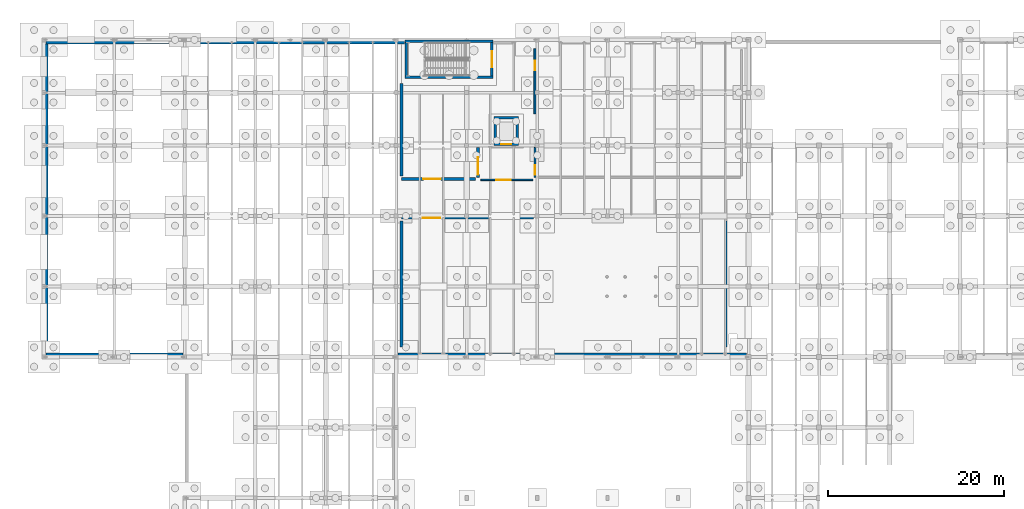
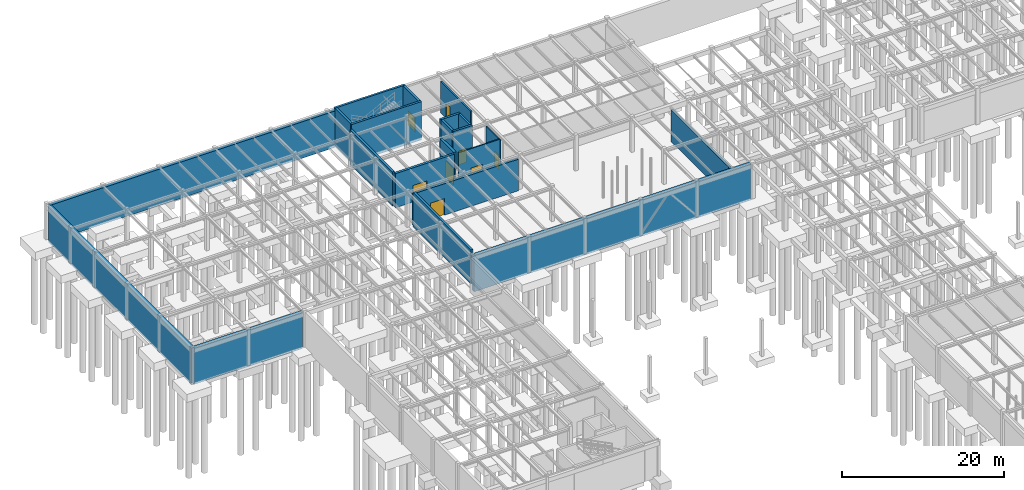
# One storey, part 55 of 71: 21 walls, 8 doors, 8 openings.
"""IFC4 building model written with IfcOpenShell, lengths in metres."""

from ifc_helpers import new_model, si_unit, direction, frame, frame_2d, origin, place, context, subcontext, project, spatial, rectangle, extrude, material, layer, layer_set, type_object, element, fill, save


model = new_model("IFC4")

# Units and contexts
model_context = context("Model", 3, precision=1e-05, world=origin(), true_north=direction((0.0, 1.0)))
body_context = subcontext(model_context, "Body", "Model", "MODEL_VIEW")
ifc_project = project(units=[si_unit("LENGTHUNIT", "METRE"), si_unit("AREAUNIT", "SQUARE_METRE"), si_unit("VOLUMEUNIT", "CUBIC_METRE"), si_unit("PLANEANGLEUNIT", "RADIAN"), si_unit("MASSUNIT", "GRAM", prefix="KILO")], contexts=[model_context])

# Site, building, storey
site_placement = place(None, origin())
site = spatial("IfcSite", under=ifc_project, at=site_placement, CompositionType="ELEMENT")
building_placement = place(site_placement, origin())
building = spatial("IfcBuilding", under=site, at=building_placement, Name="Sundkrona Museum", CompositionType="ELEMENT")
storey_placement = place(building_placement, frame((0.0, 0.0, -5.39990234375)))
storey = spatial("IfcBuildingStorey", under=building, at=storey_placement, Name="B1", CompositionType="ELEMENT", Elevation=-5.39990234375)

# Wall, opening, door
ifc_material_1 = material(Name="Concrete C40/50", Category="concrete")
ifc_layer_1 = layer(ifc_material_1, 0.330078125)
ifc_layer_set_1 = layer_set([ifc_layer_1], Name="Concrete C40/50")
wall_type_1 = type_object("IfcWallType", Name="W-ARC-120", PredefinedType="SOLIDWALL", material=ifc_layer_set_1)
wall_1_placement = place(storey_placement, frame((49.300048828125, 98.39990234375, 0.0), z_axis=(0.0, 0.0, 1.0), x_axis=(0.0, 1.0, 0.0)))
wall_1 = element("IfcWall", 1, at=wall_1_placement, inside=storey, type_object=wall_type_1, Name="B1 Partition North-West Lift Lobby / Paper and Print Archive", PredefinedType="SOLIDWALL", context=body_context, shape_type="SweptSolid", body=[
    extrude(rectangle(XDim=3.400146484375, YDim=0.330078125, at=frame_2d((1.7001953125, 0.0))), origin(), (0.0, 0.0, 1.0), 5.159912109375),
])
opening_1_placement = place(wall_1_placement, frame((0.300048828125, 0.0, 0.0)))
opening_1 = element("IfcOpeningElement", 2, at=opening_1_placement, cuts=wall_1, Name="Opening D-ARC-120", PredefinedType="OPENING", context=body_context, shape_type="SweptSolid", body=[
    extrude(rectangle(XDim=2.0, YDim=2.5, at=frame_2d((1.0, 1.25))), frame((0.0, 0.175048828125, 0.0), z_axis=(0.0, -1.0, 0.0), x_axis=(1.0, 0.0, 0.0)), (0.0, 0.0, 1.0), 0.35009765625),
])
ifc_material_2 = material(Name="Insulated Steel Vault Door", Category="steel")
door_type_1 = type_object("IfcDoorType", Name="D-ARC-120", OperationType="DOUBLE_DOOR_SINGLE_SWING", PredefinedType="DOOR", material=ifc_material_2)
door_1_placement = place(opening_1_placement, origin())
door_1 = element("IfcDoor", 3, at=door_1_placement, inside=storey, type_object=door_type_1, Name="B1 Interior Door DR-ADJ-B1-0011", OperationType="DOUBLE_DOOR_SINGLE_SWING", OverallHeight=2.5, OverallWidth=2.0, PredefinedType="DOOR", context=body_context, shape_type="SweptSolid", body=[
    extrude(rectangle(XDim=2.0, YDim=2.5, at=frame_2d((1.0, 1.25))), frame((0.0, 0.02490234375, 0.0), z_axis=(0.0, -1.0, 0.0), x_axis=(1.0, 0.0, 0.0)), (0.0, 0.0, 1.0), 0.050048828125),
])
fill(opening_1, door_1)

wall_2_placement = place(storey_placement, frame((40.60009765625, 98.199951171875, 0.0), z_axis=(0.0, 0.0, 1.0), x_axis=(1.0, 0.0, 0.0)))
wall_2 = element("IfcWall", 4, at=wall_2_placement, inside=storey, type_object=wall_type_1, Name="B1 Partition Archive Spine Corridor / Paper and Print Archive", PredefinedType="SOLIDWALL", context=body_context, shape_type="SweptSolid", body=[
    extrude(rectangle(XDim=8.39990234375, YDim=0.330078125, at=frame_2d((4.199951171875, 0.0))), origin(), (0.0, 0.0, 1.0), 5.159912109375),
])
opening_2_placement = place(wall_2_placement, frame((2.47509765625, 0.0, 0.0)))
opening_2 = element("IfcOpeningElement", 5, at=opening_2_placement, cuts=wall_2, Name="Opening D-ARC-120", PredefinedType="OPENING", context=body_context, shape_type="SweptSolid", body=[
    extrude(rectangle(XDim=2.0, YDim=2.5, at=frame_2d((1.0, 1.25))), frame((0.0, 0.175048828125, 0.0), z_axis=(0.0, -1.0, 0.0), x_axis=(1.0, 0.0, 0.0)), (0.0, 0.0, 1.0), 0.35009765625),
])
door_2_placement = place(opening_2_placement, origin())
door_2 = element("IfcDoor", 6, at=door_2_placement, inside=storey, type_object=door_type_1, Name="B1 Interior Door DR-ADJ-B1-0013", OperationType="DOUBLE_DOOR_SINGLE_SWING", OverallHeight=2.5, OverallWidth=2.0, PredefinedType="DOOR", context=body_context, shape_type="SweptSolid", body=[
    extrude(rectangle(XDim=2.0, YDim=2.5, at=frame_2d((1.0, 1.25))), frame((0.0, 0.02490234375, 0.0), z_axis=(0.0, -1.0, 0.0), x_axis=(1.0, 0.0, 0.0)), (0.0, 0.0, 1.0), 0.050048828125),
])
fill(opening_2, door_2)

wall_3_placement = place(storey_placement, frame((40.60009765625, 93.800048828125, 0.0), z_axis=(0.0, 0.0, 1.0), x_axis=(1.0, 0.0, 0.0)))
wall_3 = element("IfcWall", 7, at=wall_3_placement, inside=storey, type_object=wall_type_1, Name="B1 Partition Archive Spine Corridor / Crate Acclimatisation Storage", PredefinedType="SOLIDWALL", context=body_context, shape_type="SweptSolid", body=[
    extrude(rectangle(XDim=15.0, YDim=0.330078125, at=frame_2d((7.5, 0.0))), origin(), (0.0, 0.0, 1.0), 4.760009765625),
])
opening_3_placement = place(wall_3_placement, frame((2.42578125, 0.0, 0.0)))
opening_3 = element("IfcOpeningElement", 8, at=opening_3_placement, cuts=wall_3, Name="Opening D-ARC-120", PredefinedType="OPENING", context=body_context, shape_type="SweptSolid", body=[
    extrude(rectangle(XDim=2.0, YDim=2.5, at=frame_2d((1.0, 1.25))), frame((0.0, 0.175048828125, 0.0), z_axis=(0.0, -1.0, 0.0), x_axis=(1.0, 0.0, 0.0)), (0.0, 0.0, 1.0), 0.35009765625),
])
door_3_placement = place(opening_3_placement, origin())
door_3 = element("IfcDoor", 9, at=door_3_placement, inside=storey, type_object=door_type_1, Name="B1 Interior Door DR-ADJ-B1-0014", OperationType="DOUBLE_DOOR_SINGLE_SWING", OverallHeight=2.5, OverallWidth=2.0, PredefinedType="DOOR", context=body_context, shape_type="SweptSolid", body=[
    extrude(rectangle(XDim=2.0, YDim=2.5, at=frame_2d((1.0, 1.25))), frame((0.0, 0.02490234375, 0.0), z_axis=(0.0, -1.0, 0.0), x_axis=(1.0, 0.0, 0.0)), (0.0, 0.0, 1.0), 0.050048828125),
])
fill(opening_3, door_3)

# Walls
wall_4_placement = place(storey_placement, frame((40.60009765625, 98.550048828125, 0.0), z_axis=(0.0, 0.0, 1.0), x_axis=(0.0, 1.0, 0.0)))
element("IfcWall", 10, at=wall_4_placement, inside=storey, type_object=wall_type_1, Name="B1 Paper and Print Archive Enclosure Wall W", PredefinedType="SOLIDWALL", context=body_context, shape_type="SweptSolid", body=[
    extrude(rectangle(XDim=10.5, YDim=0.330078125, at=frame_2d((5.25, 0.0))), origin(), (0.0, 0.0, 1.0), 5.159912109375),
])
wall_5_placement = place(storey_placement, frame((40.60009765625, 79.14990234375, 0.0), z_axis=(0.0, 0.0, 1.0), x_axis=(0.0, 1.0, 0.0)))
element("IfcWall", 11, at=wall_5_placement, inside=storey, type_object=wall_type_1, Name="B1 Crate Acclimatisation Storage Enclosure Wall W", PredefinedType="SOLIDWALL", context=body_context, shape_type="SweptSolid", body=[
    extrude(rectangle(XDim=14.300048828125, YDim=0.330078125, at=frame_2d((7.14990234375, 0.0))), origin(), (0.0, 0.0, 1.0), 5.159912109375),
])
wall_6_placement = place(storey_placement, frame((77.39990234375, 79.14990234375, 0.0), z_axis=(0.0, 0.0, 1.0), x_axis=(0.0, 1.0, 0.0)))
element("IfcWall", 12, at=wall_6_placement, inside=storey, type_object=wall_type_1, Name="B1 Crate Acclimatisation Storage Enclosure Wall E", PredefinedType="SOLIDWALL", context=body_context, shape_type="SweptSolid", body=[
    extrude(rectangle(XDim=14.300048828125, YDim=0.330078125, at=frame_2d((7.14990234375, 0.0))), origin(), (0.0, 0.0, 1.0), 4.77978515625),
])
ifc_layer_2 = layer(ifc_material_1, 0.300048828125)
ifc_layer_set_2 = layer_set([ifc_layer_2], Name="Concrete C40/50")
wall_type_2 = type_object("IfcWallType", Name="W-CORE-300", PredefinedType="SHEAR", material=ifc_layer_set_2)
for number, where, z_axis, x_axis, name in (
    (13, (41.0, 109.75, -0.400146484375), (0.0, 0.0, 1.0), (1.0, 0.0, 0.0), "B1 ST-3 Core Shear Wall South"),
    (14, (41.0, 113.85009765625, -0.400146484375), (0.0, 0.0, 1.0), (1.0, 0.0, 0.0), "B1 ST-3 Core Shear Wall North"),
):
    element("IfcWall", number, at=place(storey_placement, frame(where, z_axis=z_axis, x_axis=x_axis)), inside=storey, type_object=wall_type_2, Name=name, PredefinedType="SHEAR", context=body_context, shape_type="SweptSolid", body=[
        extrude(rectangle(XDim=10.0, YDim=0.300048828125, at=frame_2d((5.0, 0.0))), origin(), (0.0, 0.0, 1.0), 5.800048828125),
    ])
wall_7_placement = place(storey_placement, frame((41.14990234375, 109.909912109375, -0.400146484375), z_axis=(0.0, 0.0, 1.0), x_axis=(0.0, 1.0, 0.0)))
element("IfcWall", 15, at=wall_7_placement, inside=storey, type_object=wall_type_2, Name="B1 ST-3 Core Shear Wall West", PredefinedType="SHEAR", context=body_context, shape_type="SweptSolid", body=[
    extrude(rectangle(XDim=3.780029296875, YDim=0.300048828125, at=frame_2d((1.89013671875, 0.0))), origin(), (0.0, 0.0, 1.0), 5.800048828125),
])

# Wall, opening, door
wall_8_placement = place(storey_placement, frame((50.85009765625, 109.909912109375, -0.400146484375), z_axis=(0.0, 0.0, 1.0), x_axis=(0.0, 1.0, 0.0)))
wall_8 = element("IfcWall", 16, at=wall_8_placement, inside=storey, type_object=wall_type_2, Name="B1 ST-3 Core Shear Wall East", PredefinedType="SHEAR", context=body_context, shape_type="SweptSolid", body=[
    extrude(rectangle(XDim=3.780029296875, YDim=0.300048828125, at=frame_2d((1.89013671875, 0.0))), origin(), (0.0, 0.0, 1.0), 5.800048828125),
])
opening_4_placement = place(wall_8_placement, frame((0.989990234375, 0.0, 0.39990234375)))
opening_4 = element("IfcOpeningElement", 17, at=opening_4_placement, cuts=wall_8, Name="Opening D-FD60", PredefinedType="OPENING", context=body_context, shape_type="SweptSolid", body=[
    extrude(rectangle(XDim=1.800048828125, YDim=2.199951171875, at=frame_2d((0.89990234375, 1.10009765625))), frame((0.0, 0.159912109375, 0.0), z_axis=(0.0, -1.0, 0.0), x_axis=(1.0, 0.0, 0.0)), (0.0, 0.0, 1.0), 0.320068359375),
])
ifc_material_3 = material(Name="Steel S355J2 Fire Door Leaf", Category="steel")
door_type_2 = type_object("IfcDoorType", Name="D-FD60", OperationType="DOUBLE_DOOR_SINGLE_SWING", PredefinedType="DOOR", material=ifc_material_3)
door_4_placement = place(opening_4_placement, origin())
door_4 = element("IfcDoor", 18, at=door_4_placement, inside=storey, type_object=door_type_2, Name="B1 ST-3 Protected Escape Stair Door DR-ST-3-B1", OperationType="DOUBLE_DOOR_SINGLE_SWING", OverallHeight=2.199951171875, OverallWidth=1.800048828125, PredefinedType="DOOR", context=body_context, shape_type="SweptSolid", body=[
    extrude(rectangle(XDim=1.800048828125, YDim=2.199951171875, at=frame_2d((0.89990234375, 1.10009765625))), frame((0.0, 0.02490234375, 0.0), z_axis=(0.0, -1.0, 0.0), x_axis=(1.0, 0.0, 0.0)), (0.0, 0.0, 1.0), 0.050048828125),
])
fill(opening_4, door_4)

wall_9_placement = place(storey_placement, frame((51.10009765625, 102.14990234375, -0.400146484375), z_axis=(0.0, 0.0, 1.0), x_axis=(1.0, 0.0, 0.0)))
wall_9 = element("IfcWall", 19, at=wall_9_placement, inside=storey, type_object=wall_type_2, Name="B1 PL-3 Lift Shaft Wall South", PredefinedType="SHEAR", context=body_context, shape_type="SweptSolid", body=[
    extrude(rectangle(XDim=2.7998046875, YDim=0.300048828125, at=frame_2d((1.39990234375, 0.0))), origin(), (0.0, 0.0, 1.0), 5.800048828125),
])
opening_5_placement = place(wall_9_placement, frame((0.85009765625, 0.0, 0.39990234375)))
opening_5 = element("IfcOpeningElement", 20, at=opening_5_placement, cuts=wall_9, Name="Opening LD-01", PredefinedType="OPENING", context=body_context, shape_type="SweptSolid", body=[
    extrude(rectangle(XDim=1.10009765625, YDim=2.14990234375, at=frame_2d((0.550048828125, 1.074951171875))), frame((0.0, 0.159912109375, 0.0), z_axis=(0.0, -1.0, 0.0), x_axis=(1.0, 0.0, 0.0)), (0.0, 0.0, 1.0), 0.320068359375),
])
ifc_material_4 = material(Name="Brushed Stainless Steel Lift Door", Category="steel")
door_type_3 = type_object("IfcDoorType", Name="LD-01", OperationType="SLIDING_TO_LEFT", PredefinedType="DOOR", material=ifc_material_4)
door_5_placement = place(opening_5_placement, origin())
door_5 = element("IfcDoor", 21, at=door_5_placement, inside=storey, type_object=door_type_3, Name="B1 North-West Gallery Passenger Lift PL-3 Landing Door DR-LIFT-PL-3-B1", OperationType="SLIDING_TO_LEFT", OverallHeight=2.14990234375, OverallWidth=1.10009765625, PredefinedType="DOOR", context=body_context, shape_type="SweptSolid", body=[
    extrude(rectangle(XDim=1.10009765625, YDim=2.14990234375, at=frame_2d((0.550048828125, 1.074951171875))), frame((0.0, 0.02490234375, 0.0), z_axis=(0.0, -1.0, 0.0), x_axis=(1.0, 0.0, 0.0)), (0.0, 0.0, 1.0), 0.050048828125),
])
fill(opening_5, door_5)

# Walls
wall_10_placement = place(storey_placement, frame((51.10009765625, 105.14990234375, -0.400146484375), z_axis=(0.0, 0.0, 1.0), x_axis=(1.0, 0.0, 0.0)))
element("IfcWall", 22, at=wall_10_placement, inside=storey, type_object=wall_type_2, Name="B1 PL-3 Lift Shaft Wall North", PredefinedType="SHEAR", context=body_context, shape_type="SweptSolid", body=[
    extrude(rectangle(XDim=2.7998046875, YDim=0.300048828125, at=frame_2d((1.39990234375, 0.0))), origin(), (0.0, 0.0, 1.0), 5.800048828125),
])
for number, where, z_axis, x_axis, name in (
    (23, (51.25, 102.31005859375, -0.400146484375), (0.0, 0.0, 1.0), (0.0, 1.0, 0.0), "B1 PL-3 Lift Shaft Wall West"),
    (24, (53.75, 102.31005859375, -0.400146484375), (0.0, 0.0, 1.0), (0.0, 1.0, 0.0), "B1 PL-3 Lift Shaft Wall East"),
):
    element("IfcWall", number, at=place(storey_placement, frame(where, z_axis=z_axis, x_axis=x_axis)), inside=storey, type_object=wall_type_2, Name=name, PredefinedType="SHEAR", context=body_context, shape_type="SweptSolid", body=[
        extrude(rectangle(XDim=2.679931640625, YDim=0.300048828125, at=frame_2d((1.33984375, 0.0))), origin(), (0.0, 0.0, 1.0), 5.800048828125),
    ])

# Wall, opening, door
ifc_material_5 = material(Name="Autoclaved Aerated Masonry 225 mm", Category="masonry")
ifc_layer_3 = layer(ifc_material_5, 0.22509765625)
ifc_layer_set_3 = layer_set([ifc_layer_3], Name="Autoclaved Aerated Masonry 225 mm")
wall_type_3 = type_object("IfcWallType", Name="W-FF-225", PredefinedType="SOLIDWALL", material=ifc_layer_set_3)
wall_11_placement = place(storey_placement, frame((55.75, 105.60009765625, 0.0), z_axis=(0.0, 0.0, 1.0), x_axis=(0.0, 1.0, 0.0)))
wall_11 = element("IfcWall", 25, at=wall_11_placement, inside=storey, type_object=wall_type_3, Name="B1 Partition Core 3 Stair Lobby / Archival Box Preparation Room", PredefinedType="SOLIDWALL", context=body_context, shape_type="SweptSolid", body=[
    extrude(rectangle(XDim=7.39990234375, YDim=0.22509765625, at=frame_2d((3.699951171875, 0.0))), origin(), (0.0, 0.0, 1.0), 4.760009765625),
])
opening_6_placement = place(wall_11_placement, frame((4.971923828125, 0.0, 0.0)))
opening_6 = element("IfcOpeningElement", 26, at=opening_6_placement, cuts=wall_11, Name="Opening D-LAB-105", PredefinedType="OPENING", context=body_context, shape_type="SweptSolid", body=[
    extrude(rectangle(XDim=1.050048828125, YDim=2.25, at=frame_2d((0.52490234375, 1.125))), frame((0.0, 0.12255859375, 0.0), z_axis=(0.0, -1.0, 0.0), x_axis=(1.0, 0.0, 0.0)), (0.0, 0.0, 1.0), 0.2451171875),
])
ifc_material_6 = material(Name="Laminated Timber Lab Door", Category="wood")
door_type_4 = type_object("IfcDoorType", Name="D-LAB-105", OperationType="NOTDEFINED", PredefinedType="DOOR", material=ifc_material_6)
door_6_placement = place(opening_6_placement, origin())
door_6 = element("IfcDoor", 27, at=door_6_placement, inside=storey, type_object=door_type_4, Name="B1 Interior Door DR-ADJ-B1-0009", OperationType="SINGLE_SWING_LEFT", OverallHeight=2.25, OverallWidth=1.050048828125, PredefinedType="DOOR", context=body_context, shape_type="SweptSolid", body=[
    extrude(rectangle(XDim=1.050048828125, YDim=2.25, at=frame_2d((0.52490234375, 1.125))), frame((0.0, 0.02490234375, 0.0), z_axis=(0.0, -1.0, 0.0), x_axis=(1.0, 0.0, 0.0)), (0.0, 0.0, 1.0), 0.050048828125),
])
fill(opening_6, door_6)

ifc_material_7 = material(Name="Fire-rated Gypsum Partition Board 175 mm", Category="other")
ifc_layer_4 = layer(ifc_material_7, 0.175048828125)
ifc_layer_set_4 = layer_set([ifc_layer_4], Name="Fire-rated Gypsum Partition Board 175 mm")
wall_type_4 = type_object("IfcWallType", Name="W-PT-175", PredefinedType="PARTITIONING", material=ifc_layer_set_4)
wall_12_placement = place(storey_placement, frame((49.60009765625, 98.10009765625, 0.0), z_axis=(0.0, 0.0, 1.0), x_axis=(1.0, 0.0, 0.0)))
wall_12 = element("IfcWall", 28, at=wall_12_placement, inside=storey, type_object=wall_type_4, Name="B1 Partition North-West Lift Lobby / Archive Spine Corridor", PredefinedType="PARTITIONING", context=body_context, shape_type="SweptSolid", body=[
    extrude(rectangle(XDim=5.89990234375, YDim=0.175048828125, at=frame_2d((2.949951171875, 0.0))), origin(), (0.0, 0.0, 1.0), 5.159912109375),
])
opening_7_placement = place(wall_12_placement, frame((1.780029296875, 0.0, 0.0)))
opening_7 = element("IfcOpeningElement", 29, at=opening_7_placement, cuts=wall_12, Name="Opening D-CMP-160", PredefinedType="OPENING", context=body_context, shape_type="SweptSolid", body=[
    extrude(rectangle(XDim=1.60009765625, YDim=2.25, at=frame_2d((0.800048828125, 1.125))), frame((0.0, 0.097412109375, 0.0), z_axis=(0.0, -1.0, 0.0), x_axis=(1.0, 0.0, 0.0)), (0.0, 0.0, 1.0), 0.195068359375),
])
ifc_material_8 = material(Name="Glazed Steel Fire Screen Door", Category="steel")
door_type_5 = type_object("IfcDoorType", Name="D-CMP-160", OperationType="DOUBLE_DOOR_SINGLE_SWING", PredefinedType="DOOR", material=ifc_material_8)
door_7_placement = place(opening_7_placement, origin())
door_7 = element("IfcDoor", 30, at=door_7_placement, inside=storey, type_object=door_type_5, Name="B1 Interior Door DR-ADJ-B1-0010", OperationType="DOUBLE_DOOR_SINGLE_SWING", OverallHeight=2.25, OverallWidth=1.60009765625, PredefinedType="DOOR", context=body_context, shape_type="SweptSolid", body=[
    extrude(rectangle(XDim=1.60009765625, YDim=2.25, at=frame_2d((0.800048828125, 1.125))), frame((0.0, 0.02490234375, 0.0), z_axis=(0.0, -1.0, 0.0), x_axis=(1.0, 0.0, 0.0)), (0.0, 0.0, 1.0), 0.050048828125),
])
fill(opening_7, door_7)

ifc_material_9 = material(Name="Moisture-resistant Tile Partition 200 mm", Category="other")
ifc_layer_5 = layer(ifc_material_9, 0.199951171875)
ifc_layer_set_5 = layer_set([ifc_layer_5], Name="Moisture-resistant Tile Partition 200 mm")
wall_type_5 = type_object("IfcWallType", Name="W-PT-200", PredefinedType="PARTITIONING", material=ifc_layer_set_5)
wall_13_placement = place(storey_placement, frame((55.75, 98.39990234375, 0.0), z_axis=(0.0, 0.0, 1.0), x_axis=(0.0, 1.0, 0.0)))
wall_13 = element("IfcWall", 31, at=wall_13_placement, inside=storey, type_object=wall_type_5, Name="B1 Partition North-West Lift Lobby / Archival Box Preparation Room", PredefinedType="PARTITIONING", context=body_context, shape_type="SweptSolid", body=[
    extrude(rectangle(XDim=3.400146484375, YDim=0.199951171875, at=frame_2d((1.7001953125, 0.0))), origin(), (0.0, 0.0, 1.0), 4.760009765625),
])
opening_8_placement = place(wall_13_placement, frame((0.300048828125, 0.0, 0.0)))
opening_8 = element("IfcOpeningElement", 32, at=opening_8_placement, cuts=wall_13, Name="Opening D-LAB-105", PredefinedType="OPENING", context=body_context, shape_type="SweptSolid", body=[
    extrude(rectangle(XDim=1.050048828125, YDim=2.25, at=frame_2d((0.52490234375, 1.125))), frame((0.0, 0.10986328125, 0.0), z_axis=(0.0, -1.0, 0.0), x_axis=(1.0, 0.0, 0.0)), (0.0, 0.0, 1.0), 0.219970703125),
])
door_8_placement = place(opening_8_placement, origin())
door_8 = element("IfcDoor", 33, at=door_8_placement, inside=storey, type_object=door_type_4, Name="B1 Interior Door DR-ADJ-B1-0012", OperationType="SINGLE_SWING_RIGHT", OverallHeight=2.25, OverallWidth=1.050048828125, PredefinedType="DOOR", context=body_context, shape_type="SweptSolid", body=[
    extrude(rectangle(XDim=1.050048828125, YDim=2.25, at=frame_2d((0.52490234375, 1.125))), frame((0.0, 0.02490234375, 0.0), z_axis=(0.0, -1.0, 0.0), x_axis=(1.0, 0.0, 0.0)), (0.0, 0.0, 1.0), 0.050048828125),
])
fill(opening_8, door_8)

# Walls
ifc_layer_6 = layer(ifc_material_1, 0.449951171875)
ifc_layer_set_6 = layer_set([ifc_layer_6], Name="Concrete C40/50")
wall_type_6 = type_object("IfcWallType", Name="W-RET-450", PredefinedType="USERDEFINED", material=ifc_layer_set_6)
wall_14_placement = place(storey_placement, frame((0.22509765625, 113.77490234375, -0.400146484375), z_axis=(0.0, 0.0, 1.0), x_axis=(1.0, 0.0, 0.0)))
element("IfcWall", 34, at=wall_14_placement, inside=storey, type_object=wall_type_6, Name="Basement Retaining Wall 04", ObjectType="RETAININGWALL", PredefinedType="USERDEFINED", context=body_context, shape_type="SweptSolid", body=[
    extrude(rectangle(XDim=40.71484375, YDim=0.449951171875, at=frame_2d((20.357421875, 0.0))), origin(), (0.0, 0.0, 1.0), 5.5),
])
wall_15_placement = place(storey_placement, frame((0.22509765625, 78.449951171875, -0.400146484375), z_axis=(0.0, 0.0, 1.0), x_axis=(0.0, 1.0, 0.0)))
element("IfcWall", 35, at=wall_15_placement, inside=storey, type_object=wall_type_6, Name="Basement Retaining Wall 07", ObjectType="RETAININGWALL", PredefinedType="USERDEFINED", context=body_context, shape_type="SweptSolid", body=[
    extrude(rectangle(XDim=35.10009765625, YDim=0.449951171875, at=frame_2d((17.550048828125, 0.0))), origin(), (0.0, 0.0, 1.0), 5.5),
])
wall_16_placement = place(storey_placement, frame((0.22509765625, 78.22509765625, -0.400146484375), z_axis=(0.0, 0.0, 1.0), x_axis=(1.0, 0.0, 0.0)))
element("IfcWall", 36, at=wall_16_placement, inside=storey, type_object=wall_type_6, Name="Basement Retaining Wall 08", ObjectType="RETAININGWALL", PredefinedType="USERDEFINED", context=body_context, shape_type="SweptSolid", body=[
    extrude(rectangle(XDim=15.5498046875, YDim=0.449951171875, at=frame_2d((7.77490234375, 0.0))), origin(), (0.0, 0.0, 1.0), 5.5),
])
wall_17_placement = place(storey_placement, frame((40.22509765625, 78.22509765625, -0.400146484375), z_axis=(0.0, 0.0, 1.0), x_axis=(1.0, 0.0, 0.0)))
element("IfcWall", 37, at=wall_17_placement, inside=storey, type_object=wall_type_6, Name="Basement Retaining Wall 13", ObjectType="RETAININGWALL", PredefinedType="USERDEFINED", context=body_context, shape_type="SweptSolid", body=[
    extrude(rectangle(XDim=39.5498046875, YDim=0.449951171875, at=frame_2d((19.77490234375, 0.0))), origin(), (0.0, 0.0, 1.0), 5.5),
])

save(model, "model.ifc")
